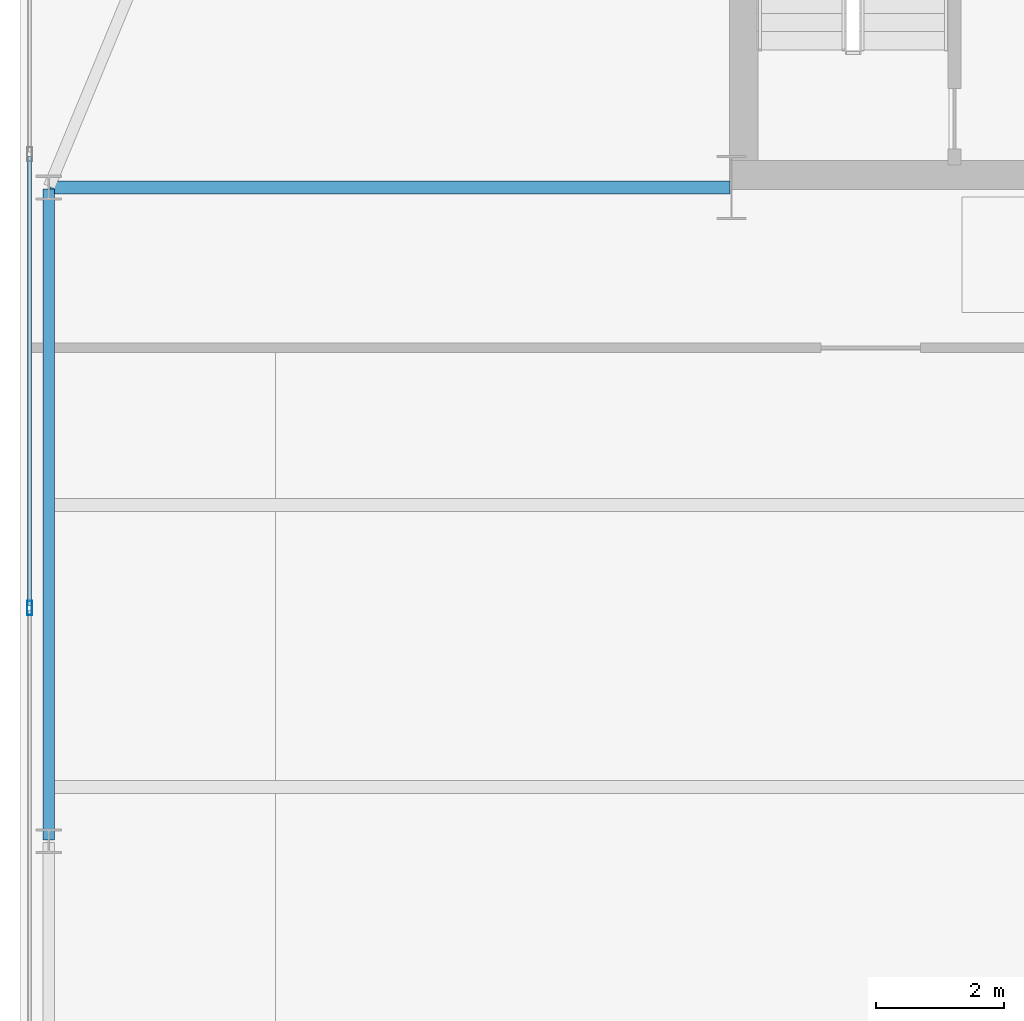
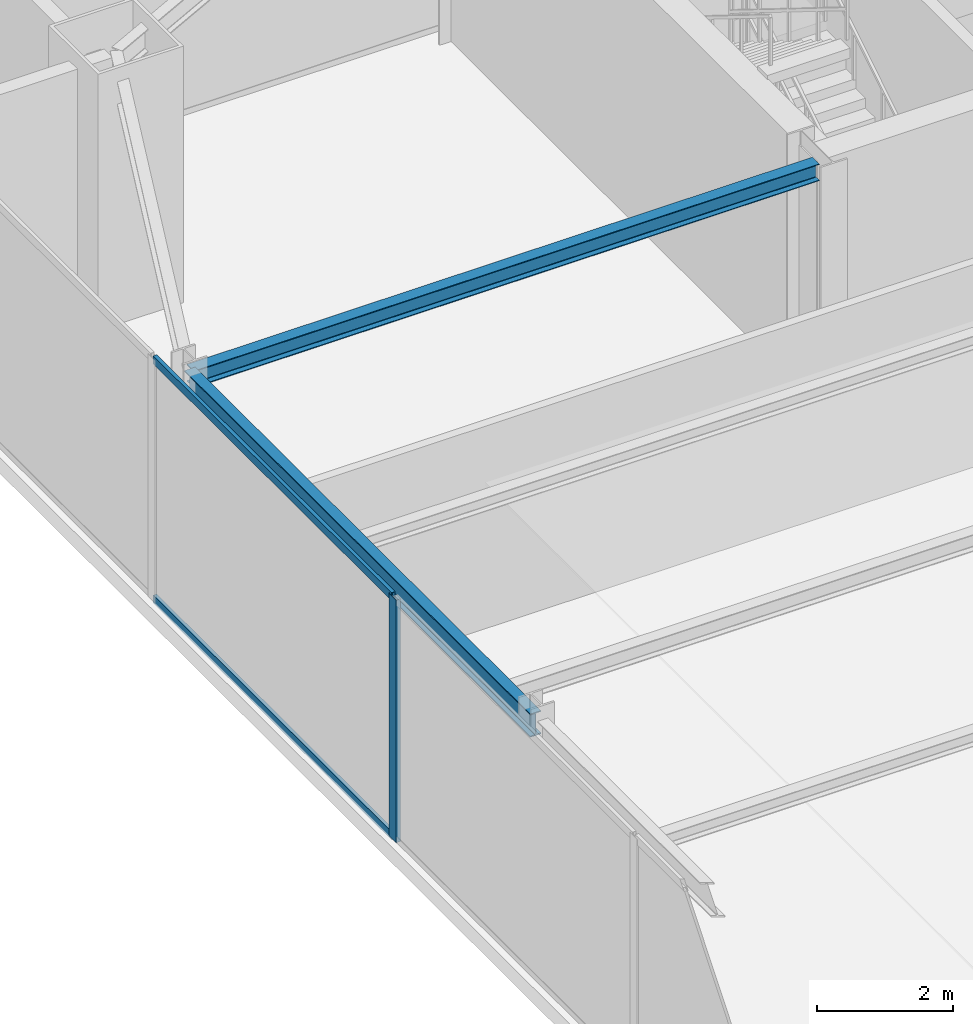
# One storey, part 13 of 32: 3 members, 2 beams, 1 element without a shape of its own.
"""IFC4 building model written with IfcOpenShell, lengths in metres."""

from ifc_helpers import new_model, si_unit, direction, frame, origin, origin_2d, place, context, subcontext, project, spatial, hollow_rectangle, i_section, extrude, source, transform, mapped, material, layer, layer_set, material_profile, profile_set, type_object, type_shapes, element, aggregate, save


model = new_model("IFC4")

# Units and contexts
model_context = context("Model", 3, precision=1e-05, world=origin(), true_north=direction((0.0, 1.0)))
body_context = subcontext(model_context, "Body", "Model", "MODEL_VIEW")
ifc_project = project(units=[si_unit("LENGTHUNIT", "METRE"), si_unit("AREAUNIT", "SQUARE_METRE"), si_unit("VOLUMEUNIT", "CUBIC_METRE"), si_unit("PLANEANGLEUNIT", "RADIAN"), si_unit("MASSUNIT", "GRAM", prefix="KILO")], contexts=[model_context])

# Site, building, storey
site_placement = place(None, origin())
site = spatial("IfcSite", under=ifc_project, at=site_placement, CompositionType="ELEMENT")
building_placement = place(site_placement, origin())
building = spatial("IfcBuilding", under=site, at=building_placement, Name="Varnel Quay Broadcast Tower", CompositionType="ELEMENT")
storey_placement = place(building_placement, frame((0.0, 0.0, 98.39990234375)))
storey = spatial("IfcBuildingStorey", under=building, at=storey_placement, Name="L23", CompositionType="ELEMENT", Elevation=98.39990234375)

# Beams
ifc_material_1 = material(Name="Structural Steel CSA G40.21 350W", Category="steel")
ifc_material_profile_1 = material_profile(ifc_material_1, i_section(OverallWidth=0.180908203125, OverallDepth=0.4169921875, WebThickness=0.010986328125, FlangeThickness=0.018310546875, FilletRadius=0.011962890625, at=origin_2d()), Name="W410X85")
ifc_profile_set_1 = profile_set([ifc_material_profile_1], Name="Structural Steel CSA G40.21 350W")
beam_type_1 = type_object("IfcBeamType", Name="Beam_W410X85", PredefinedType="SPANDREL", material=ifc_profile_set_1)
shared_shape_1 = source(origin(), body_context, "Body", "SweptSolid", [
    extrude(i_section(OverallWidth=0.180908203125, OverallDepth=0.4169921875, WebThickness=0.010986328125, FlangeThickness=0.018310546875, FilletRadius=0.011962890625, at=origin_2d()), origin(), (0.0, 0.0, 1.0), 10.16015625),
])
type_shapes(beam_type_1, [shared_shape_1])
beam_1_placement = place(storey_placement, frame((4.949951171875, 25.419921875, 4.1416015625), z_axis=(0.0, 1.0, 0.0), x_axis=(-1.0, 0.0, 0.0)))
element("IfcBeam", 1, at=beam_1_placement, inside=storey, type_object=beam_type_1, Name="L23 West Spandrel TC-W2-TC-W3", PredefinedType="SPANDREL", context=body_context, shape_type="MappedRepresentation", body=[
    mapped(shared_shape_1, transform((0.0, 0.0, 0.0), x_axis=(1.0, 0.0, 0.0), y_axis=(0.0, 1.0, 0.0), z_axis=(0.0, 0.0, 1.0), scale=1.0)),
])
ifc_material_profile_2 = material_profile(ifc_material_1, i_section(OverallWidth=0.202880859375, OverallDepth=0.302978515625, WebThickness=0.007568359375, FlangeThickness=0.01318359375, FilletRadius=0.011962890625, at=origin_2d()), Name="W310X60")
ifc_profile_set_2 = profile_set([ifc_material_profile_2], Name="Structural Steel CSA G40.21 350W")
beam_type_2 = type_object("IfcBeamType", Name="Beam_W310X60", PredefinedType="JOIST", material=ifc_profile_set_2)
shared_shape_2 = source(origin(), body_context, "Body", "SweptSolid", [
    extrude(i_section(OverallWidth=0.202880859375, OverallDepth=0.302978515625, WebThickness=0.007568359375, FlangeThickness=0.01318359375, FilletRadius=0.011962890625, at=origin_2d()), origin(), (0.0, 0.0, 1.0), 10.610107421875),
])
type_shapes(beam_type_2, [shared_shape_2])
beam_2_placement = place(storey_placement, frame((4.969970703125, 35.60009765625, 4.198486328125), z_axis=(1.0, 0.0, 0.0), x_axis=(0.0, 1.0, 0.0)))
element("IfcBeam", 2, at=beam_2_placement, inside=storey, type_object=beam_type_2, Name="L23 West Core Tie Joist", PredefinedType="JOIST", context=body_context, shape_type="MappedRepresentation", body=[
    mapped(shared_shape_2, transform((0.0, 0.0, 0.0), x_axis=(1.0, 0.0, 0.0), y_axis=(0.0, 1.0, 0.0), z_axis=(0.0, 0.0, 1.0), scale=1.0)),
])

# Curtain wall, members
ifc_material_2 = material(Name="Anodised Bronze Aluminium 6063-T6", Category="aluminium")
ifc_layer = layer(ifc_material_2, 0.18994140625, Name="Anodised Bronze Aluminium 6063-T6")
ifc_layer_set = layer_set([ifc_layer], Name="Anodised Bronze Aluminium 6063-T6")
curtain_wall_type = type_object("IfcCurtainWallType", Name="CW_SkyObsHighVis", PredefinedType="NOTDEFINED", material=ifc_layer_set)
curtain_wall_placement = place(storey_placement, origin())
curtain_wall = element("IfcCurtainWall", 3, at=curtain_wall_placement, inside=storey, type_object=curtain_wall_type, Name="L23 West Unitised Curtain Wall", PredefinedType="NOTDEFINED")
ifc_material_profile_3 = material_profile(ifc_material_2, hollow_rectangle(XDim=0.074951171875, YDim=0.219970703125, WallThickness=0.00390625, at=origin_2d()), Name="ALU75X220X4")
ifc_profile_set_3 = profile_set([ifc_material_profile_3], Name="Anodised Bronze Aluminium 6063-T6")
member_type_1 = type_object("IfcMemberType", Name="Mull_CWS-05", PredefinedType="MULLION", material=ifc_profile_set_3)
shared_shape_3 = source(origin(), body_context, "Body", "SweptSolid", [
    extrude(hollow_rectangle(XDim=0.074951171875, YDim=0.219970703125, WallThickness=0.00390625, at=origin_2d()), origin(), (0.0, 0.0, 1.0), 4.35009765625),
])
type_shapes(member_type_1, [shared_shape_3])
member_1_placement = place(storey_placement, frame((4.64990234375, 29.0400390625, 0.0), z_axis=(0.0, 0.0, 1.0), x_axis=(-1.0, 0.0, 0.0)))
member_1 = element("IfcMember", 4, at=member_1_placement, type_object=member_type_1, Name="CWS-05 mullion 4", PredefinedType="MULLION", context=body_context, shape_type="MappedRepresentation", body=[
    mapped(shared_shape_3, transform((0.0, 0.0, 0.0), x_axis=(1.0, 0.0, 0.0), y_axis=(0.0, 1.0, 0.0), z_axis=(0.0, 0.0, 1.0), scale=1.0)),
])
ifc_material_profile_4 = material_profile(ifc_material_2, hollow_rectangle(XDim=0.06005859375, YDim=0.14501953125, WallThickness=0.00341796875, at=origin_2d()), Name="ALU60X145X3.5")
ifc_profile_set_4 = profile_set([ifc_material_profile_4], Name="Anodised Bronze Aluminium 6063-T6")
member_type_2 = type_object("IfcMemberType", Name="Tran_CWS-05", PredefinedType="USERDEFINED", material=ifc_profile_set_4)
shared_shape_4 = source(origin(), body_context, "Body", "SweptSolid", [
    extrude(hollow_rectangle(XDim=0.06005859375, YDim=0.14501953125, WallThickness=0.00341796875, at=origin_2d()), origin(), (0.0, 0.0, 1.0), 7.005126953125),
])
type_shapes(member_type_2, [shared_shape_4])
member_2_placement = place(storey_placement, frame((4.64990234375, 29.077392578125, 0.030029296875), z_axis=(0.0, 1.0, 0.0), x_axis=(-1.0, 0.0, 0.0)))
member_2 = element("IfcMember", 5, at=member_2_placement, type_object=member_type_2, Name="CWS-05 transom 4.1", ObjectType="TRANSOM", PredefinedType="USERDEFINED", context=body_context, shape_type="MappedRepresentation", body=[
    mapped(shared_shape_4, transform((0.0, 0.0, 0.0), x_axis=(1.0, 0.0, 0.0), y_axis=(0.0, 1.0, 0.0), z_axis=(0.0, 0.0, 1.0), scale=1.0)),
])
member_3_placement = place(storey_placement, frame((4.64990234375, 29.077392578125, 4.320068359375), z_axis=(0.0, 1.0, 0.0), x_axis=(-1.0, 0.0, 0.0)))
member_3 = element("IfcMember", 6, at=member_3_placement, type_object=member_type_2, Name="CWS-05 transom 4.2", ObjectType="TRANSOM", PredefinedType="USERDEFINED", context=body_context, shape_type="MappedRepresentation", body=[
    mapped(shared_shape_4, transform((0.0, 0.0, 0.0), x_axis=(1.0, 0.0, 0.0), y_axis=(0.0, 1.0, 0.0), z_axis=(0.0, 0.0, 1.0), scale=1.0)),
])
aggregate(curtain_wall, [member_1, member_2, member_3])

save(model, "model.ifc")
